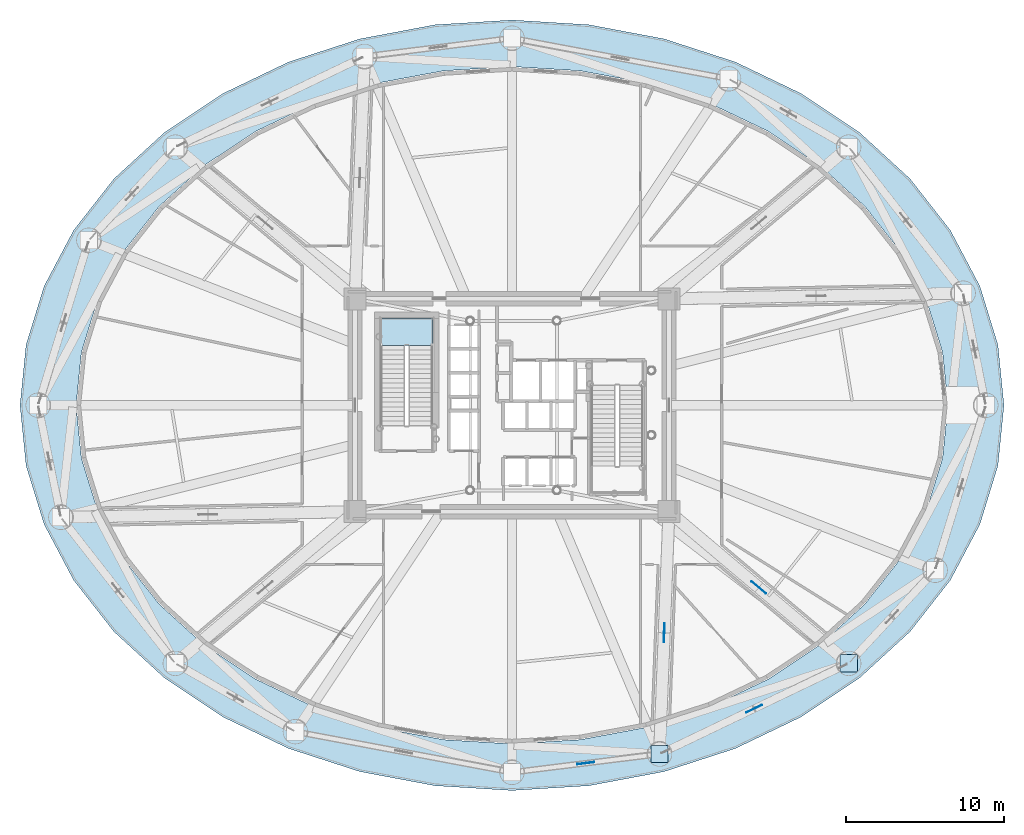
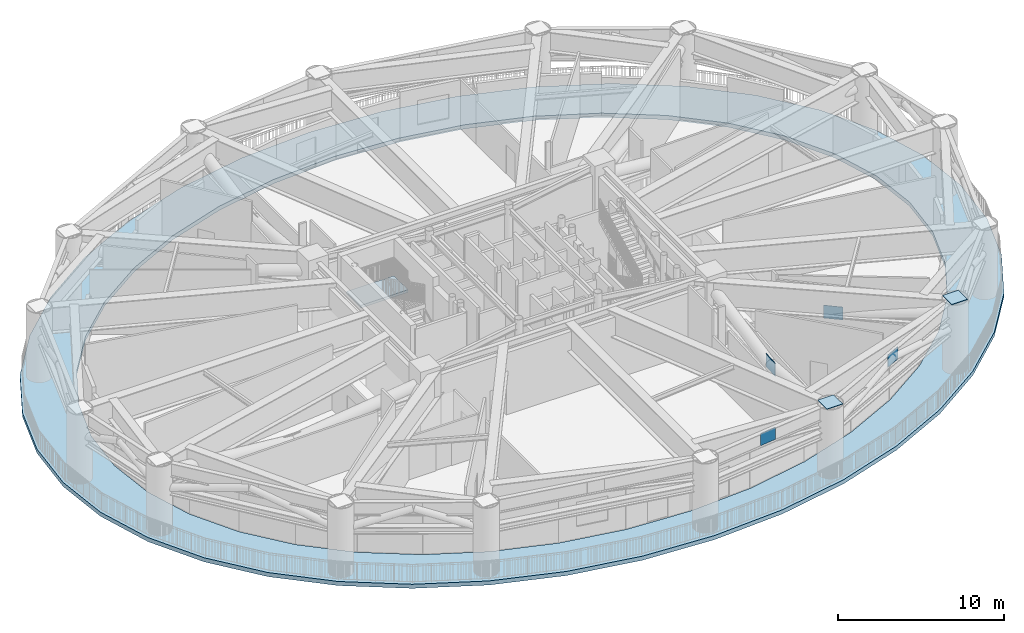
# One storey, part 6 of 22: 6 plates, 2 slabs, 1 element without a shape of its own.
"""IFC4 building model written with IfcOpenShell, lengths in metres."""

from ifc_helpers import new_model, si_unit, direction, frame, origin, origin_2d, place, context, subcontext, project, spatial, polyline, rectangle, outline, extrude, source, transform, mapped, material, layer, layer_set, type_object, element, aggregate, save


model = new_model("IFC4")

# Units and contexts
model_context = context("Model", 3, precision=1e-05, world=origin(), true_north=direction((0.0, 1.0)))
body_context = subcontext(model_context, "Body", "Model", "MODEL_VIEW")
ifc_project = project(units=[si_unit("LENGTHUNIT", "METRE"), si_unit("AREAUNIT", "SQUARE_METRE"), si_unit("VOLUMEUNIT", "CUBIC_METRE"), si_unit("PLANEANGLEUNIT", "RADIAN"), si_unit("MASSUNIT", "GRAM", prefix="KILO")], contexts=[model_context])

# Site, building, storey
site_placement = place(None, origin())
site = spatial("IfcSite", under=ifc_project, at=site_placement, CompositionType="ELEMENT")
building_placement = place(site_placement, origin())
building = spatial("IfcBuilding", under=site, at=building_placement, Name="Linh Dai School and Residence Tower", CompositionType="ELEMENT")
storey_placement = place(building_placement, frame((0.0, 0.0, 87.0)))
storey = spatial("IfcBuildingStorey", under=building, at=storey_placement, Name="L20", CompositionType="ELEMENT", Elevation=87.0)

# Slab
ifc_material_1 = material(Name="Concrete B45 (C35/45)", Category="concrete")
ifc_layer_1 = layer(ifc_material_1, 0.300048828125)
ifc_layer_set_1 = layer_set([ifc_layer_1], Name="Concrete B45 (C35/45)")
slab_type_1 = type_object("IfcSlabType", Name="SLB-DECK300", PredefinedType="FLOOR", material=ifc_layer_set_1)
slab_1_placement = place(storey_placement, frame((0.0, 0.0, -0.300048828125)))
element("IfcSlab", 1, at=slab_1_placement, inside=storey, type_object=slab_type_1, Name="L20 Planted Sky-Garden Refuge Terrace Slab", PredefinedType="FLOOR", context=body_context, shape_type="SweptSolid", body=[
    extrude(outline(polyline([(67.199951171875, 27.0), (66.81591796875, 30.82177734375), (65.6728515625, 34.54931640625), (63.79931640625, 38.091064453125), (61.2412109375, 41.359619140625), (58.061767578125, 44.274658203125), (54.3388671875, 46.764404296875), (50.16455078125, 48.767333984375), (45.641357421875, 50.234375), (40.880859375, 51.129150390625), (36.0, 51.429931640625), (31.119140625, 51.129150390625), (26.358642578125, 50.234375), (21.83544921875, 48.767333984375), (17.6611328125, 46.764404296875), (13.938232421875, 44.274658203125), (10.7587890625, 41.359619140625), (8.20068359375, 38.091064453125), (6.3271484375, 34.54931640625), (5.18408203125, 30.82177734375), (4.800048828125, 27.0), (5.18408203125, 23.17822265625), (6.3271484375, 19.45068359375), (8.20068359375, 15.908935546875), (10.7587890625, 12.640380859375), (13.938232421875, 9.725341796875), (17.6611328125, 7.235595703125), (21.83544921875, 5.232666015625), (26.358642578125, 3.765625), (31.119140625, 2.870849609375), (36.0, 2.570068359375), (40.880859375, 2.870849609375), (45.641357421875, 3.765625), (50.16455078125, 5.232666015625), (54.3388671875, 7.235595703125), (58.061767578125, 9.725341796875), (61.2412109375, 12.640380859375), (63.79931640625, 15.908935546875), (65.6728515625, 19.45068359375), (66.81591796875, 23.17822265625), (67.199951171875, 27.0)]), holes=[polyline([(63.639892578125, 27.0), (63.2998046875, 30.358642578125), (62.287109375, 33.634521484375), (60.62744140625, 36.7470703125), (58.361328125, 39.61962890625), (55.54443359375, 42.181640625), (52.246337890625, 44.36962890625), (48.54833984375, 46.1298828125), (44.541259765625, 47.419189453125), (40.32373046875, 48.20556640625), (36.0, 48.469970703125), (31.67626953125, 48.20556640625), (27.458740234375, 47.419189453125), (23.45166015625, 46.1298828125), (19.753662109375, 44.36962890625), (16.45556640625, 42.181640625), (13.638671875, 39.61962890625), (11.37255859375, 36.7470703125), (9.712890625, 33.634521484375), (8.7001953125, 30.358642578125), (8.360107421875, 27.0), (8.7001953125, 23.641357421875), (9.712890625, 20.365478515625), (11.37255859375, 17.2529296875), (13.638671875, 14.38037109375), (16.45556640625, 11.818359375), (19.753662109375, 9.63037109375), (23.45166015625, 7.8701171875), (27.458740234375, 6.580810546875), (31.67626953125, 5.79443359375), (36.0, 5.530029296875), (40.32373046875, 5.79443359375), (44.541259765625, 6.580810546875), (48.54833984375, 7.8701171875), (52.246337890625, 9.63037109375), (55.54443359375, 11.818359375), (58.361328125, 14.38037109375), (60.62744140625, 17.2529296875), (62.287109375, 20.365478515625), (63.2998046875, 23.641357421875), (63.639892578125, 27.0)])]), origin(), (0.0, 0.0, 1.0), 0.300048828125),
])

# Stair, slab
stair_type = type_object("IfcStairType", Name="ST-DOG-1550-R1500", PredefinedType="HALF_TURN_STAIR", material=ifc_material_1)
stair_placement = place(storey_placement, origin())
stair = element("IfcStair", 2, at=stair_placement, inside=storey, type_object=stair_type, Name="L20 Core Smokeproof Exit Stair ST1", PredefinedType="HALF_TURN_STAIR")
ifc_layer_2 = layer(ifc_material_1, 0.199951171875)
ifc_layer_set_2 = layer_set([ifc_layer_2], Name="Concrete B45 (C35/45)")
slab_type_2 = type_object("IfcSlabType", Name="SLB-ST-LANDING-200", PredefinedType="LANDING", material=ifc_layer_set_2)
slab_2_placement = place(storey_placement, frame((0.0, 0.0, 2.5)))
slab_2 = element("IfcSlab", 3, at=slab_2_placement, type_object=slab_type_2, Name="ST1 landing 1", PredefinedType="LANDING", context=body_context, shape_type="SweptSolid", body=[
    extrude(outline(polyline([(30.97998046875, 30.800048828125), (30.97998046875, 32.5), (27.679931640625, 32.5), (27.679931640625, 30.800048828125), (30.97998046875, 30.800048828125)])), origin(), (0.0, 0.0, 1.0), 0.199951171875),
])
aggregate(stair, [slab_2])

# Plates
ifc_material_2 = material(Name="Structural Steel S355JR", Category="steel")
ifc_layer_3 = layer(ifc_material_2, 0.0400390625)
ifc_layer_set_3 = layer_set([ifc_layer_3], Name="Structural Steel S355JR")
plate_type = type_object("IfcPlateType", Name="PLT-GP1", PredefinedType="USERDEFINED", material=ifc_layer_set_3)
shared_shape_1 = source(origin(), body_context, "Body", "SweptSolid", [
    extrude(rectangle(XDim=1.10009765625, YDim=1.10009765625, at=origin_2d()), origin(), (0.0, 0.0, 1.0), 0.0400390625),
])
for number, where, z_axis, x_axis, name in (
    (4, (45.357666015625, 4.880126953125, 5.10009765625), (0.0, 0.0, 1.0), (1.0, 0.0, 0.0), "L20 MC14 Column Cap Plate"),
    (5, (57.352783203125, 10.630859375, 5.10009765625), (0.0, 0.0, 1.0), (1.0, 0.0, 0.0), "L20 MC15 Column Cap Plate"),
):
    element("IfcPlate", number, at=place(storey_placement, frame(where, z_axis=z_axis, x_axis=x_axis)), inside=storey, type_object=plate_type, Name=name, ObjectType="GUSSET PLATE", PredefinedType="USERDEFINED", context=body_context, shape_type="MappedRepresentation", body=[
        mapped(shared_shape_1, transform((0.0, 0.0, 0.0), x_axis=(1.0, 0.0, 0.0), y_axis=(0.0, 1.0, 0.0), z_axis=(0.0, 0.0, 1.0), scale=1.0)),
    ])
shared_shape_2 = source(origin(), body_context, "Body", "SweptSolid", [
    extrude(rectangle(XDim=1.10009765625, YDim=0.0400390625, at=origin_2d()), origin(), (0.0, 0.0, 1.0), 0.89990234375),
])
for number, where, z_axis, x_axis, name in (
    (6, (40.678955078125, 4.300048828125, 4.150146484375), (0.0, 0.0, 1.0), (0.992401870919, 0.123038719909, 0.0), "L20 Belt Truss BT2 Node Gusset Plate 13"),
    (7, (51.355224609375, 7.755615234375, 4.150146484375), (0.0, 0.0, 1.0), (0.901726332669, 0.432307322367, 0.0), "L20 Belt Truss BT2 Node Gusset Plate 14"),
):
    element("IfcPlate", number, at=place(storey_placement, frame(where, z_axis=z_axis, x_axis=x_axis)), inside=storey, type_object=plate_type, Name=name, ObjectType="GUSSET PLATE", PredefinedType="USERDEFINED", context=body_context, shape_type="MappedRepresentation", body=[
        mapped(shared_shape_2, transform((0.0, 0.0, 0.0), x_axis=(1.0, 0.0, 0.0), y_axis=(0.0, 1.0, 0.0), z_axis=(0.0, 0.0, 1.0), scale=1.0)),
    ])
shared_shape_3 = source(origin(), body_context, "Body", "SweptSolid", [
    extrude(rectangle(XDim=1.199951171875, YDim=0.0400390625, at=origin_2d()), origin(), (0.0, 0.0, 1.0), 0.949951171875),
])
for number, where, z_axis, x_axis, name in (
    (8, (45.65380859375, 12.565185546875, 2.625), (0.0, 0.0, 1.0), (-0.038502537167, -0.999258502407, 0.0), "L20 Outrigger Truss OT1 Node Gusset Plate 07"),
    (9, (51.6513671875, 15.4404296875, 2.625), (0.0, 0.0, 1.0), (0.764354395017, -0.644796370041, 0.0), "L20 Outrigger Truss OT1 Node Gusset Plate 08"),
):
    element("IfcPlate", number, at=place(storey_placement, frame(where, z_axis=z_axis, x_axis=x_axis)), inside=storey, type_object=plate_type, Name=name, ObjectType="GUSSET PLATE", PredefinedType="USERDEFINED", context=body_context, shape_type="MappedRepresentation", body=[
        mapped(shared_shape_3, transform((0.0, 0.0, 0.0), x_axis=(1.0, 0.0, 0.0), y_axis=(0.0, 1.0, 0.0), z_axis=(0.0, 0.0, 1.0), scale=1.0)),
    ])

save(model, "model.ifc")
